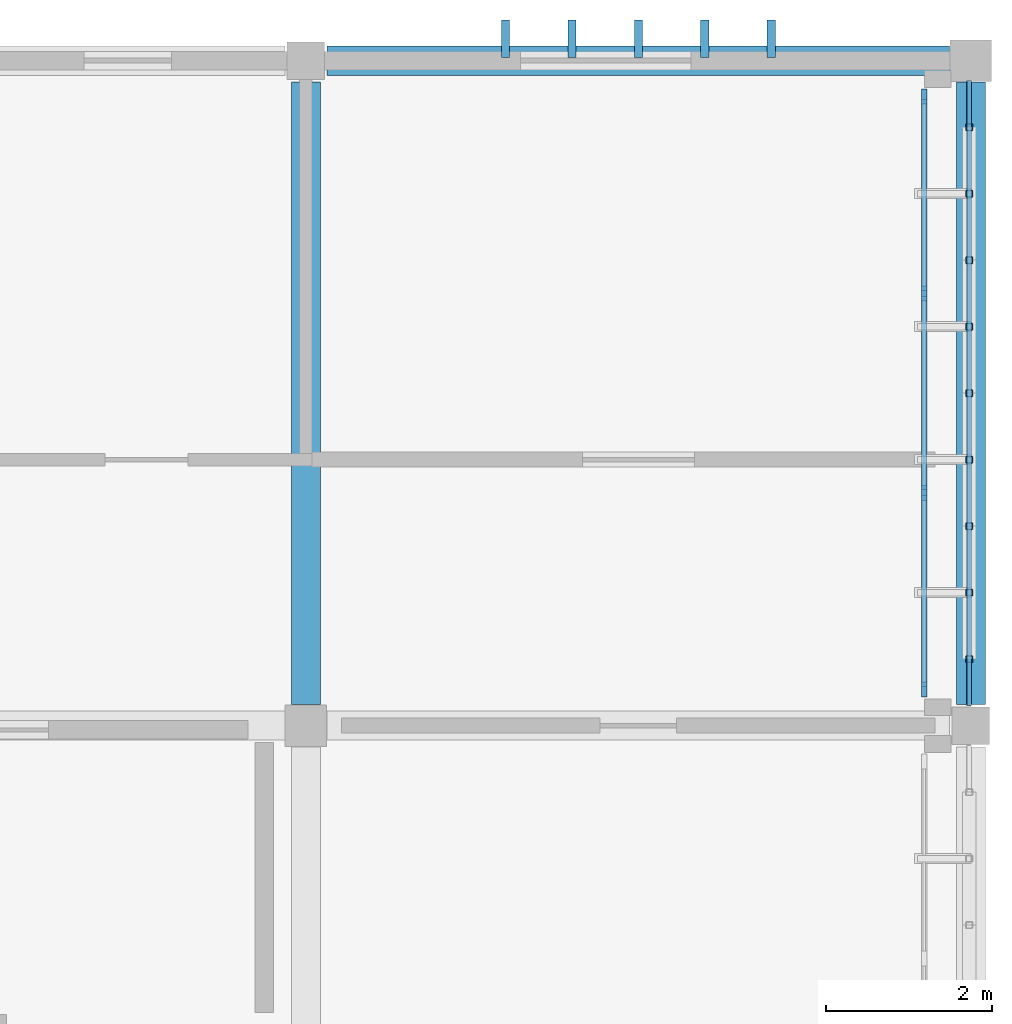
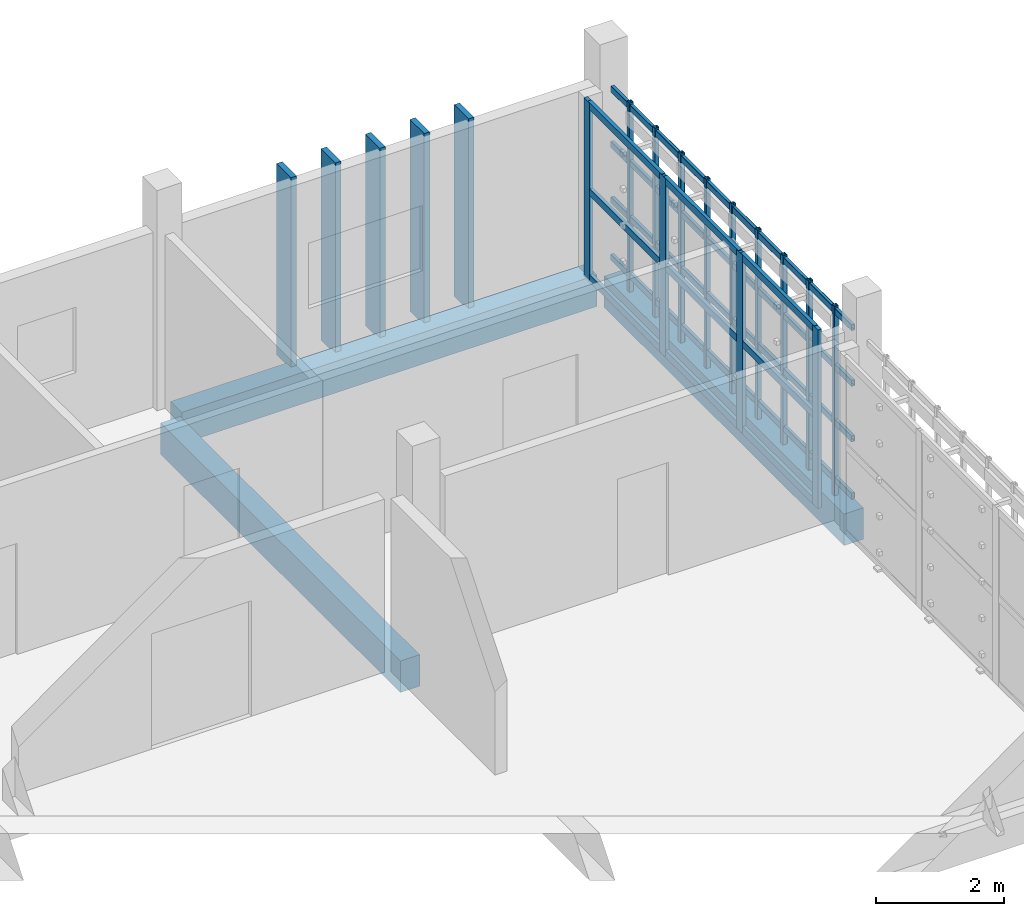
# One storey, part 8 of 16: 31 members, 3 beams, 1 element without a shape of its own.
"""IFC4 building model written with IfcOpenShell, lengths in metres."""

from ifc_helpers import new_model, si_unit, direction, frame, origin, origin_2d, place, context, subcontext, project, spatial, rectangle, hollow_rectangle, extrude, material, layer, layer_set, material_profile, profile_set, type_object, element, aggregate, save


model = new_model("IFC4")

# Units and contexts
model_context = context("Model", 3, precision=1e-05, world=origin(), true_north=direction((0.0, 1.0)))
body_context = subcontext(model_context, "Body", "Model", "MODEL_VIEW")
ifc_project = project(units=[si_unit("LENGTHUNIT", "METRE"), si_unit("AREAUNIT", "SQUARE_METRE"), si_unit("VOLUMEUNIT", "CUBIC_METRE"), si_unit("PLANEANGLEUNIT", "RADIAN"), si_unit("MASSUNIT", "GRAM", prefix="KILO")], contexts=[model_context])

# Site, building, storey
site_placement = place(None, origin())
site = spatial("IfcSite", under=ifc_project, at=site_placement, CompositionType="ELEMENT")
building_placement = place(site_placement, origin())
building = spatial("IfcBuilding", under=site, at=building_placement, Name="Jelvoka-Kovrelna Polytechnic", CompositionType="ELEMENT")
storey_placement = place(building_placement, frame((0.0, 0.0, 30.60009765625)))
storey = spatial("IfcBuildingStorey", under=building, at=storey_placement, Name="L08", CompositionType="ELEMENT", Elevation=30.60009765625)

# Beams
ifc_material_1 = material(Name="Concrete C35/45", Category="concrete")
ifc_material_profile_1 = material_profile(ifc_material_1, rectangle(XDim=0.35009765625, YDim=0.60009765625, at=origin_2d()), Name="RC 350x600")
ifc_profile_set_1 = profile_set([ifc_material_profile_1], Name="Concrete C35/45")
beam_type_1 = type_object("IfcBeamType", Name="Beam_RC_350x600", PredefinedType="BEAM", material=ifc_profile_set_1)
for number, where, z_axis, x_axis, name in (
    (1, (176.0, 64.2548828125, -0.525146484375), (0.0, 1.0, 0.0), (-1.0, 0.0, 0.0), "L08 beam 1979"),
    (2, (184.0, 64.2548828125, -0.525146484375), (0.0, 1.0, 0.0), (-1.0, 0.0, 0.0), "L08 beam 1981"),
):
    element("IfcBeam", number, at=place(storey_placement, frame(where, z_axis=z_axis, x_axis=x_axis)), inside=storey, type_object=beam_type_1, Name=name, PredefinedType="BEAM", context=body_context, shape_type="SweptSolid", body=[
        extrude(rectangle(XDim=0.35009765625, YDim=0.60009765625, at=origin_2d()), origin(), (0.0, 0.0, 1.0), 7.490234375),
    ])

# Members
ifc_material_2 = material(Name="Precast concrete C40/50", Category="concrete")
ifc_material_profile_2 = material_profile(ifc_material_2, rectangle(XDim=0.10009765625, YDim=0.449951171875, at=origin_2d()), Name="PC 100x450")
ifc_profile_set_2 = profile_set([ifc_material_profile_2], Name="Precast concrete C40/50")
member_type_1 = type_object("IfcMemberType", Name="Louvre_Fin_100x450", PredefinedType="USERDEFINED", material=ifc_profile_set_2)
for number, where, z_axis, x_axis, name in (
    (3, (178.39990234375, 72.264892578125, -0.27001953125), (0.0, 0.0, 1.0), (1.0, 0.0, 0.0), "L08 B3 north vertical solar louvre fin 2351"),
    (4, (179.199951171875, 72.264892578125, -0.27001953125), (0.0, 0.0, 1.0), (1.0, 0.0, 0.0), "L08 B3 north vertical solar louvre fin 2352"),
    (5, (180.0, 72.264892578125, -0.27001953125), (0.0, 0.0, 1.0), (1.0, 0.0, 0.0), "L08 B3 north vertical solar louvre fin 2353"),
    (6, (180.800048828125, 72.264892578125, -0.27001953125), (0.0, 0.0, 1.0), (1.0, 0.0, 0.0), "L08 B3 north vertical solar louvre fin 2354"),
    (7, (181.60009765625, 72.264892578125, -0.27001953125), (0.0, 0.0, 1.0), (1.0, 0.0, 0.0), "L08 B3 north vertical solar louvre fin 2355"),
):
    element("IfcMember", number, at=place(storey_placement, frame(where, z_axis=z_axis, x_axis=x_axis)), inside=storey, type_object=member_type_1, Name=name, ObjectType="SUNSHADE", PredefinedType="USERDEFINED", context=body_context, shape_type="SweptSolid", body=[
        extrude(rectangle(XDim=0.10009765625, YDim=0.449951171875, at=origin_2d()), origin(), (0.0, 0.0, 1.0), 3.655029296875),
    ])
ifc_material_3 = material(Name="Structural steel S355J2H", Category="steel")
ifc_material_profile_3 = material_profile(ifc_material_3, hollow_rectangle(XDim=0.06005859375, YDim=0.1201171875, WallThickness=0.0048828125, InnerFilletRadius=0.0048828125, OuterFilletRadius=0.007568359375, at=origin_2d()), Name="120x60x5.0 RHS")
ifc_profile_set_3 = profile_set([ifc_material_profile_3], Name="Structural steel S355J2H")
member_type_2 = type_object("IfcMemberType", Name="Member_Strut_RHS120", PredefinedType="STRUT", material=ifc_profile_set_3)
for number, where, z_axis, x_axis, name in (
    (8, (183.97998046875, 64.239990234375, 0.079833984375), (0.0, 1.0, 0.0), (-1.0, 0.0, 0.0), "L08 terracotta screen horizontal strut 0859"),
    (9, (183.97998046875, 64.239990234375, 1.17138671875), (0.0, 1.0, 0.0), (-1.0, 0.0, 0.0), "L08 terracotta screen horizontal strut 0860"),
    (10, (183.97998046875, 64.239990234375, 2.230712890625), (0.0, 1.0, 0.0), (-1.0, 0.0, 0.0), "L08 terracotta screen horizontal strut 0861"),
    (11, (183.97998046875, 64.239990234375, 3.289794921875), (0.0, 1.0, 0.0), (-1.0, 0.0, 0.0), "L08 terracotta screen horizontal strut 0862"),
):
    element("IfcMember", number, at=place(storey_placement, frame(where, z_axis=z_axis, x_axis=x_axis)), inside=storey, type_object=member_type_2, Name=name, PredefinedType="STRUT", context=body_context, shape_type="SweptSolid", body=[
        extrude(hollow_rectangle(XDim=0.06005859375, YDim=0.1201171875, WallThickness=0.0048828125, InnerFilletRadius=0.0048828125, OuterFilletRadius=0.007568359375, at=origin_2d()), origin(), (0.0, 0.0, 1.0), 7.52001953125),
    ])
ifc_material_4 = material(Name="Structural steel S355J2H", Category="steel")
ifc_material_profile_4 = material_profile(ifc_material_4, hollow_rectangle(XDim=0.080078125, YDim=0.080078125, WallThickness=0.0048828125, InnerFilletRadius=0.0048828125, OuterFilletRadius=0.007568359375, at=origin_2d()), Name="80x80x5.0 SHS")
ifc_profile_set_4 = profile_set([ifc_material_profile_4], Name="Structural steel S355J2H")
member_type_3 = type_object("IfcMemberType", Name="Member_Strut_SHS80", PredefinedType="STRUT", material=ifc_profile_set_4)
for number, where, z_axis, x_axis, name in (
    (12, (183.97998046875, 64.800048828125, -0.22998046875), (0.0, 0.0, 1.0), (1.0, 0.0, 0.0), "L08 terracotta lattice vertical rib 0863"),
    (13, (183.97998046875, 65.60009765625, -0.22998046875), (0.0, 0.0, 1.0), (1.0, 0.0, 0.0), "L08 terracotta lattice vertical rib 0864"),
    (14, (183.97998046875, 66.39990234375, -0.22998046875), (0.0, 0.0, 1.0), (1.0, 0.0, 0.0), "L08 terracotta lattice vertical rib 0865"),
    (15, (183.97998046875, 67.199951171875, -0.22998046875), (0.0, 0.0, 1.0), (1.0, 0.0, 0.0), "L08 terracotta lattice vertical rib 0866"),
    (16, (183.97998046875, 68.0, -0.22998046875), (0.0, 0.0, 1.0), (1.0, 0.0, 0.0), "L08 terracotta lattice vertical rib 0867"),
    (17, (183.97998046875, 68.800048828125, -0.22998046875), (0.0, 0.0, 1.0), (1.0, 0.0, 0.0), "L08 terracotta lattice vertical rib 0868"),
    (18, (183.97998046875, 69.60009765625, -0.22998046875), (0.0, 0.0, 1.0), (1.0, 0.0, 0.0), "L08 terracotta lattice vertical rib 0869"),
    (19, (183.97998046875, 70.39990234375, -0.22998046875), (0.0, 0.0, 1.0), (1.0, 0.0, 0.0), "L08 terracotta lattice vertical rib 0870"),
    (20, (183.97998046875, 71.199951171875, -0.22998046875), (0.0, 0.0, 1.0), (1.0, 0.0, 0.0), "L08 terracotta lattice vertical rib 0871"),
):
    element("IfcMember", number, at=place(storey_placement, frame(where, z_axis=z_axis, x_axis=x_axis)), inside=storey, type_object=member_type_3, Name=name, PredefinedType="STRUT", context=body_context, shape_type="SweptSolid", body=[
        extrude(hollow_rectangle(XDim=0.080078125, YDim=0.080078125, WallThickness=0.0048828125, InnerFilletRadius=0.0048828125, OuterFilletRadius=0.007568359375, at=origin_2d()), origin(), (0.0, 0.0, 1.0), 3.60986328125),
    ])

# Curtain wall, members
ifc_material_5 = material(Name="Anodised aluminium 6063-T6", Category="aluminium")
ifc_layer = layer(ifc_material_5, 0.179931640625)
ifc_layer_set = layer_set([ifc_layer], Name="Anodised aluminium 6063-T6")
curtain_wall_type = type_object("IfcCurtainWallType", Name="CW_Recessed_B", PredefinedType="NOTDEFINED", material=ifc_layer_set)
curtain_wall_placement = place(storey_placement, origin())
curtain_wall = element("IfcCurtainWall", 21, at=curtain_wall_placement, inside=storey, type_object=curtain_wall_type, Name="L08 glazed curtain wall 099", PredefinedType="NOTDEFINED")
ifc_material_6 = material(Name="Anodised aluminium 6063-T6", Category="aluminium")
ifc_material_profile_5 = material_profile(ifc_material_6, rectangle(XDim=0.06494140625, YDim=0.179931640625, at=origin_2d()), Name="ALU 65x180")
ifc_profile_set_5 = profile_set([ifc_material_profile_5], Name="Anodised aluminium 6063-T6")
member_type_4 = type_object("IfcMemberType", Name="Mullion_M-02", PredefinedType="MULLION", material=ifc_profile_set_5)
member_1_placement = place(storey_placement, frame((183.43994140625, 71.5673828125, -0.02490234375), z_axis=(0.0, 0.0, 1.0), x_axis=(1.0, 0.0, 0.0)))
member_1 = element("IfcMember", 22, at=member_1_placement, type_object=member_type_4, Name="CW-02 mullion 1", PredefinedType="MULLION", context=body_context, shape_type="SweptSolid", body=[
    extrude(rectangle(XDim=0.06494140625, YDim=0.179931640625, at=origin_2d()), origin(), (0.0, 0.0, 1.0), 3.39990234375),
])
member_2_placement = place(storey_placement, frame((183.43994140625, 69.199951171875, -0.02490234375), z_axis=(0.0, 0.0, 1.0), x_axis=(1.0, 0.0, 0.0)))
member_2 = element("IfcMember", 23, at=member_2_placement, type_object=member_type_4, Name="CW-02 mullion 2", PredefinedType="MULLION", context=body_context, shape_type="SweptSolid", body=[
    extrude(rectangle(XDim=0.06494140625, YDim=0.179931640625, at=origin_2d()), origin(), (0.0, 0.0, 1.0), 3.39990234375),
])
member_3_placement = place(storey_placement, frame((183.43994140625, 66.800048828125, -0.02490234375), z_axis=(0.0, 0.0, 1.0), x_axis=(1.0, 0.0, 0.0)))
member_3 = element("IfcMember", 24, at=member_3_placement, type_object=member_type_4, Name="CW-02 mullion 3", PredefinedType="MULLION", context=body_context, shape_type="SweptSolid", body=[
    extrude(rectangle(XDim=0.06494140625, YDim=0.179931640625, at=origin_2d()), origin(), (0.0, 0.0, 1.0), 3.39990234375),
])
member_4_placement = place(storey_placement, frame((183.43994140625, 64.4326171875, -0.02490234375), z_axis=(0.0, 0.0, 1.0), x_axis=(1.0, 0.0, 0.0)))
member_4 = element("IfcMember", 25, at=member_4_placement, type_object=member_type_4, Name="CW-02 mullion 4", PredefinedType="MULLION", context=body_context, shape_type="SweptSolid", body=[
    extrude(rectangle(XDim=0.06494140625, YDim=0.179931640625, at=origin_2d()), origin(), (0.0, 0.0, 1.0), 3.39990234375),
])

# Beam
ifc_material_7 = material(Name="Concrete C40/50", Category="concrete")
ifc_material_profile_6 = material_profile(ifc_material_7, rectangle(XDim=0.35009765625, YDim=0.60009765625, at=origin_2d()), Name="RC 350x600")
ifc_profile_set_6 = profile_set([ifc_material_profile_6], Name="Concrete C40/50")
beam_type_2 = type_object("IfcBeamType", Name="Spandrel_RC_350x600", PredefinedType="SPANDREL", material=ifc_profile_set_6)
beam_placement = place(storey_placement, frame((176.2548828125, 72.0, -0.525146484375), z_axis=(1.0, 0.0, 0.0), x_axis=(0.0, 1.0, 0.0)))
element("IfcBeam", 26, at=beam_placement, inside=storey, type_object=beam_type_2, Name="L08 beam 1963", PredefinedType="SPANDREL", context=body_context, shape_type="SweptSolid", body=[
    extrude(rectangle(XDim=0.35009765625, YDim=0.60009765625, at=origin_2d()), origin(), (0.0, 0.0, 1.0), 7.490234375),
])

# Member
ifc_material_8 = material(Name="Anodised aluminium 6063-T6", Category="aluminium")
ifc_material_profile_7 = material_profile(ifc_material_8, rectangle(XDim=0.06494140625, YDim=0.135009765625, at=origin_2d()), Name="ALU 65x135")
ifc_profile_set_7 = profile_set([ifc_material_profile_7], Name="Anodised aluminium 6063-T6")
member_type_5 = type_object("IfcMemberType", Name="Transom_T-02", PredefinedType="USERDEFINED", material=ifc_profile_set_7)
member_5_placement = place(storey_placement, frame((183.43994140625, 71.534912109375, 0.032470703125), z_axis=(0.0, -1.0, 0.0), x_axis=(1.0, 0.0, 0.0)))
member_5 = element("IfcMember", 27, at=member_5_placement, type_object=member_type_5, Name="CW-02 transom 1.1", ObjectType="TRANSOM", PredefinedType="USERDEFINED", context=body_context, shape_type="SweptSolid", body=[
    extrude(rectangle(XDim=0.06494140625, YDim=0.135009765625, at=origin_2d()), origin(), (0.0, 0.0, 1.0), 2.302490234375),
])

member_6_placement = place(storey_placement, frame((183.43994140625, 71.534912109375, 1.6748046875), z_axis=(0.0, -1.0, 0.0), x_axis=(1.0, 0.0, 0.0)))
member_6 = element("IfcMember", 28, at=member_6_placement, type_object=member_type_5, Name="CW-02 transom 1.2", ObjectType="TRANSOM", PredefinedType="USERDEFINED", context=body_context, shape_type="SweptSolid", body=[
    extrude(rectangle(XDim=0.06494140625, YDim=0.135009765625, at=origin_2d()), origin(), (0.0, 0.0, 1.0), 2.302490234375),
])

member_7_placement = place(storey_placement, frame((183.43994140625, 71.534912109375, 3.3173828125), z_axis=(0.0, -1.0, 0.0), x_axis=(1.0, 0.0, 0.0)))
member_7 = element("IfcMember", 29, at=member_7_placement, type_object=member_type_5, Name="CW-02 transom 1.3", ObjectType="TRANSOM", PredefinedType="USERDEFINED", context=body_context, shape_type="SweptSolid", body=[
    extrude(rectangle(XDim=0.06494140625, YDim=0.135009765625, at=origin_2d()), origin(), (0.0, 0.0, 1.0), 2.302490234375),
])

member_8_placement = place(storey_placement, frame((183.43994140625, 69.16748046875, 0.032470703125), z_axis=(0.0, -1.0, 0.0), x_axis=(1.0, 0.0, 0.0)))
member_8 = element("IfcMember", 30, at=member_8_placement, type_object=member_type_5, Name="CW-02 transom 2.1", ObjectType="TRANSOM", PredefinedType="USERDEFINED", context=body_context, shape_type="SweptSolid", body=[
    extrude(rectangle(XDim=0.06494140625, YDim=0.135009765625, at=origin_2d()), origin(), (0.0, 0.0, 1.0), 2.3349609375),
])

member_9_placement = place(storey_placement, frame((183.43994140625, 69.16748046875, 1.6748046875), z_axis=(0.0, -1.0, 0.0), x_axis=(1.0, 0.0, 0.0)))
member_9 = element("IfcMember", 31, at=member_9_placement, type_object=member_type_5, Name="CW-02 transom 2.2", ObjectType="TRANSOM", PredefinedType="USERDEFINED", context=body_context, shape_type="SweptSolid", body=[
    extrude(rectangle(XDim=0.06494140625, YDim=0.135009765625, at=origin_2d()), origin(), (0.0, 0.0, 1.0), 2.3349609375),
])

member_10_placement = place(storey_placement, frame((183.43994140625, 69.16748046875, 3.3173828125), z_axis=(0.0, -1.0, 0.0), x_axis=(1.0, 0.0, 0.0)))
member_10 = element("IfcMember", 32, at=member_10_placement, type_object=member_type_5, Name="CW-02 transom 2.3", ObjectType="TRANSOM", PredefinedType="USERDEFINED", context=body_context, shape_type="SweptSolid", body=[
    extrude(rectangle(XDim=0.06494140625, YDim=0.135009765625, at=origin_2d()), origin(), (0.0, 0.0, 1.0), 2.3349609375),
])

member_11_placement = place(storey_placement, frame((183.43994140625, 66.767578125, 0.032470703125), z_axis=(0.0, -1.0, 0.0), x_axis=(1.0, 0.0, 0.0)))
member_11 = element("IfcMember", 33, at=member_11_placement, type_object=member_type_5, Name="CW-02 transom 3.1", ObjectType="TRANSOM", PredefinedType="USERDEFINED", context=body_context, shape_type="SweptSolid", body=[
    extrude(rectangle(XDim=0.06494140625, YDim=0.135009765625, at=origin_2d()), origin(), (0.0, 0.0, 1.0), 2.302490234375),
])

member_12_placement = place(storey_placement, frame((183.43994140625, 66.767578125, 1.6748046875), z_axis=(0.0, -1.0, 0.0), x_axis=(1.0, 0.0, 0.0)))
member_12 = element("IfcMember", 34, at=member_12_placement, type_object=member_type_5, Name="CW-02 transom 3.2", ObjectType="TRANSOM", PredefinedType="USERDEFINED", context=body_context, shape_type="SweptSolid", body=[
    extrude(rectangle(XDim=0.06494140625, YDim=0.135009765625, at=origin_2d()), origin(), (0.0, 0.0, 1.0), 2.302490234375),
])

member_13_placement = place(storey_placement, frame((183.43994140625, 66.767578125, 3.3173828125), z_axis=(0.0, -1.0, 0.0), x_axis=(1.0, 0.0, 0.0)))
member_13 = element("IfcMember", 35, at=member_13_placement, type_object=member_type_5, Name="CW-02 transom 3.3", ObjectType="TRANSOM", PredefinedType="USERDEFINED", context=body_context, shape_type="SweptSolid", body=[
    extrude(rectangle(XDim=0.06494140625, YDim=0.135009765625, at=origin_2d()), origin(), (0.0, 0.0, 1.0), 2.302490234375),
])

aggregate(curtain_wall, [member_1, member_2, member_3, member_4, member_5, member_6, member_7, member_8, member_9, member_10, member_11, member_12, member_13])

save(model, "model.ifc")
